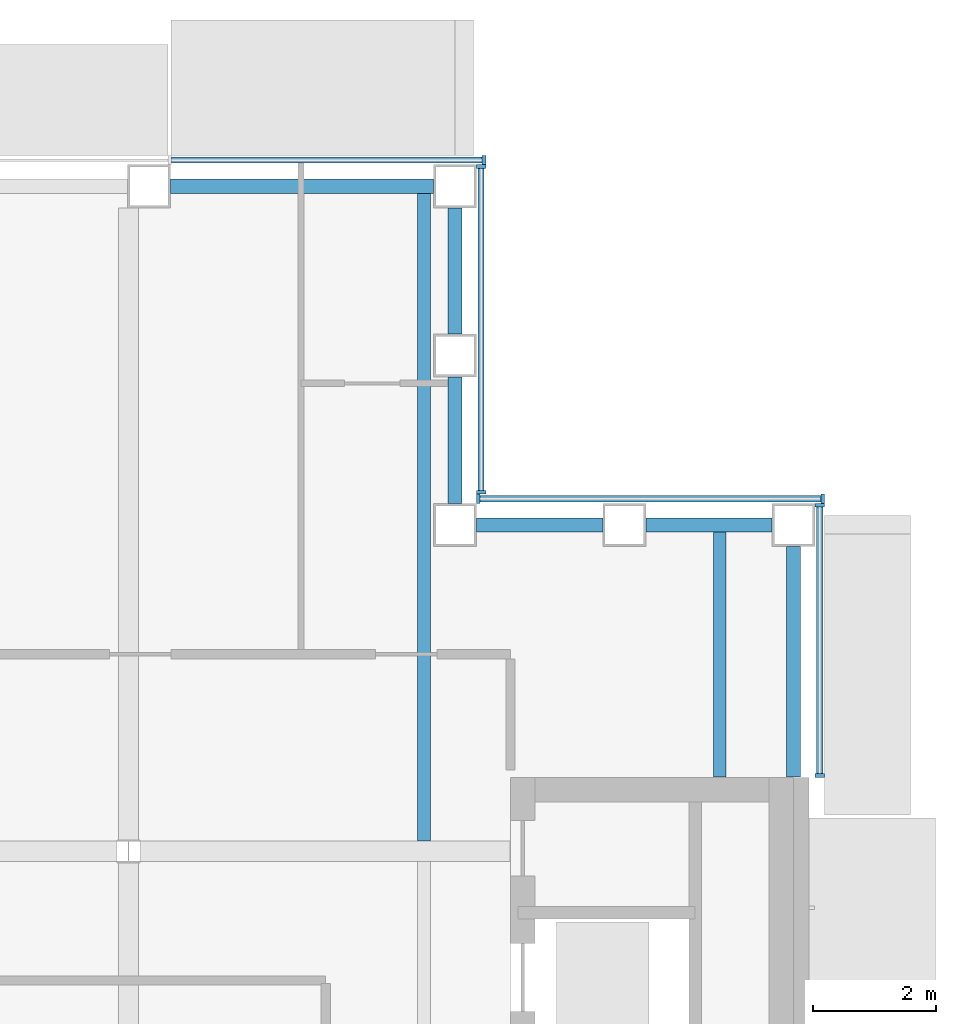
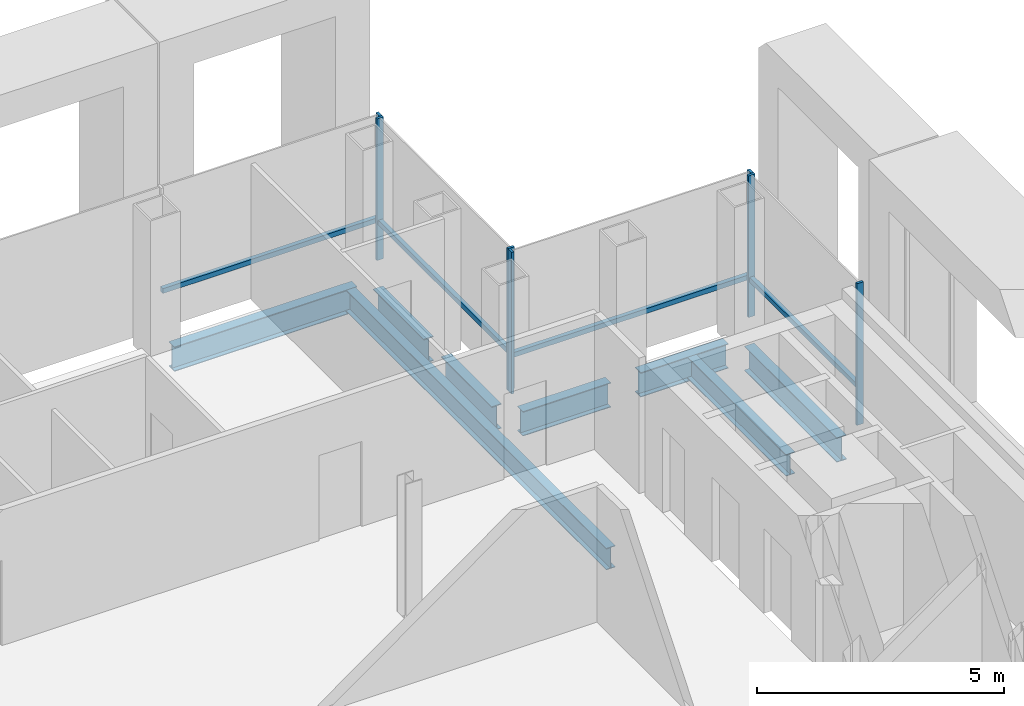
# One storey, part 7 of 19: 11 members, 8 beams, 4 elements without a shape of their own.
"""IFC4 building model written with IfcOpenShell, lengths in metres."""

import ifcopenshell
import ifcopenshell.guid

model = None  # the IFC model being written
_history = None  # IfcOwnerHistory: only IFC2X3 demands one
_inside = {}  # id of a spatial element -> (the spatial element, [elements in it])
_under = {}  # id of a project, library or spatial element -> (it, [spatial elements below it])
_declared = {}  # id of a project -> (the project, [libraries it declares])
_typed = {}  # id of a type object -> (the type object, [elements of that type])
_made_of = {}  # id of a material, layer set ... -> (it, [elements and type objects made of it])


def new_model(schema):
    """Start an empty IFC model of exactly this schema.

    Asked for "IFC4X3", IfcOpenShell would pick the latest addendum, in which some entities
    have other attributes; the version numbers below select the first issue.
    IFC2X3 requires an IfcOwnerHistory on every rooted entity: one is made here for all.
    """
    global model, _history
    if schema == "IFC4X3":
        model = ifcopenshell.file(schema_version=(4, 3, 0, 0))
    else:
        model = ifcopenshell.file(schema=schema)
    _inside.clear()
    _under.clear()
    _declared.clear()
    _typed.clear()
    _made_of.clear()
    _history = None
    if model.schema == "IFC2X3":
        org = make("IfcOrganization", Name="unknown")
        user = make(
            "IfcPersonAndOrganization",
            ThePerson=make("IfcPerson", FamilyName="unknown"),
            TheOrganization=org,
        )
        app = make(
            "IfcApplication",
            ApplicationDeveloper=org,
            Version="unknown",
            ApplicationFullName="unknown",
            ApplicationIdentifier="unknown",
        )
        _history = make(
            "IfcOwnerHistory",
            OwningUser=user,
            OwningApplication=app,
            ChangeAction="ADDED",
            CreationDate=0,
        )
    return model


def make(cls, **values):
    """One entity of the class cls with the attributes given. An attribute that is None is left unset."""
    return model.create_entity(
        cls, **{name: value for name, value in values.items() if value is not None}
    )


def rooted(cls, **values):
    """An entity with a GlobalId (a new one), such as an element, a storey or a relation."""
    return make(cls, GlobalId=ifcopenshell.guid.new(), OwnerHistory=_history, **values)


def si_unit(unit_type, name, prefix=None):
    """IfcSIUnit, for example si_unit("LENGTHUNIT", "METRE", prefix="MILLI")."""
    return make("IfcSIUnit", UnitType=unit_type, Prefix=prefix, Name=name)


def assignment(units):
    """IfcUnitAssignment: the units of a project."""
    return None if units is None else make("IfcUnitAssignment", Units=units)


def point(xyz):
    """IfcCartesianPoint."""
    return None if xyz is None else make("IfcCartesianPoint", Coordinates=xyz)


def direction(xyz):
    """IfcDirection."""
    return None if xyz is None else make("IfcDirection", DirectionRatios=xyz)


def frame(location, z_axis=None, x_axis=None):
    """IfcAxis2Placement3D, a coordinate frame: its origin and axes. An axis left out is left unset."""
    return make(
        "IfcAxis2Placement3D",
        Location=point(location),
        Axis=direction(z_axis),
        RefDirection=direction(x_axis),
    )


def frame_2d(location, x_axis=None):
    """IfcAxis2Placement2D, a coordinate frame in the plane: its origin and x axis."""
    return make(
        "IfcAxis2Placement2D", Location=point(location), RefDirection=direction(x_axis)
    )


def origin():
    """The frame at (0, 0, 0) with its axes left unset."""
    return frame((0.0, 0.0, 0.0))


def origin_2d():
    """The frame at (0, 0) in the plane with its x axis left unset."""
    return frame_2d((0.0, 0.0))


def place(relative_to, where):
    """IfcLocalPlacement: puts the frame where relative to a parent placement (None: the world)."""
    return make(
        "IfcLocalPlacement", PlacementRelTo=relative_to, RelativePlacement=where
    )


def context(
    kind, dimensions, precision=None, world=None, true_north=None, identifier=None
):
    """IfcGeometricRepresentationContext, for example the 3D "Model" context."""
    return make(
        "IfcGeometricRepresentationContext",
        ContextIdentifier=identifier,
        ContextType=kind,
        CoordinateSpaceDimension=dimensions,
        Precision=precision,
        WorldCoordinateSystem=world,
        TrueNorth=true_north,
    )


def subcontext(parent, identifier, kind, view, scale=None):
    """IfcGeometricRepresentationSubContext, for example "Body" below "Model"."""
    return make(
        "IfcGeometricRepresentationSubContext",
        ContextIdentifier=identifier,
        ContextType=kind,
        ParentContext=parent,
        TargetScale=scale,
        TargetView=view,
    )


def project(units=None, contexts=None):
    """IfcProject with its units and contexts."""
    return rooted(
        "IfcProject",
        Name="project",
        RepresentationContexts=contexts,
        UnitsInContext=assignment(units),
    )


def spatial(cls, under=None, at=None, **own):
    """A site, building, storey or space (cls), placed at a placement, below another one or the project."""
    s = rooted(cls, ObjectPlacement=at, **own)
    if under is not None:
        _under.setdefault(under.id(), (under, []))[1].append(s)
    return s


def profile(cls, at=None, kind="AREA", **sizes):
    """A parametric profile (cls). Its sizes go by their IFC names, for example OverallWidth=200.0."""
    return make(cls, ProfileType=kind, Position=at, **sizes)


def rectangle(**sizes):
    """IfcRectangleProfileDef."""
    return profile("IfcRectangleProfileDef", **sizes)


def i_section(**sizes):
    """IfcIShapeProfileDef."""
    return profile("IfcIShapeProfileDef", **sizes)


def extrude(swept, where, along, depth):
    """IfcExtrudedAreaSolid: the profile swept, set in the frame where, extruded along a direction by depth."""
    return make(
        "IfcExtrudedAreaSolid",
        SweptArea=swept,
        Position=where,
        ExtrudedDirection=direction(along),
        Depth=depth,
    )


def shape(context_of_items, identifier, shape_type, items):
    """IfcShapeRepresentation: the items that make up one representation, for example the "Body"."""
    return make(
        "IfcShapeRepresentation",
        ContextOfItems=context_of_items,
        RepresentationIdentifier=identifier,
        RepresentationType=shape_type,
        Items=items,
    )


def material(Name=None, Category=None):
    """IfcMaterial."""
    return make("IfcMaterial", Name=Name, Category=Category)


def material_profile(
    of_material, cross_section, Name=None, Category=None, Priority=None
):
    """IfcMaterialProfile: a cross section and its material."""
    return make(
        "IfcMaterialProfile",
        Name=Name,
        Material=of_material,
        Profile=cross_section,
        Priority=Priority,
        Category=Category,
    )


def profile_set(profiles, Name=None, composite=None):
    """IfcMaterialProfileSet."""
    return make(
        "IfcMaterialProfileSet",
        Name=Name,
        MaterialProfiles=profiles,
        CompositeProfile=composite,
    )


def made_of(thing, what):
    """Note that an element or type object is made of a material, layer set ...; save() writes the relation."""
    if what is not None:
        _made_of.setdefault(what.id(), (what, []))[1].append(thing)
    return thing


def type_object(cls, material=None, **own):
    """A type object (cls), such as IfcWallType, which elements share."""
    return made_of(rooted(cls, **own), material)


def element(
    cls,
    number,
    at=None,
    inside=None,
    cuts=None,
    type_object=None,
    material=None,
    context=None,
    identifier="Body",
    shape_type=None,
    held_by="IfcProductDefinitionShape",
    body=None,
    shapes=None,
    **own,
):
    """One element of the class cls, such as IfcWall. Its Tag is "e" and its number.

    at: its placement. inside: the storey or other place that contains it. cuts: it is an
    opening in that element (IfcRelVoidsElement). A single representation is given by context,
    identifier, shape_type and body (its items); several are given by shapes. held_by: the class
    of the entity that holds the representations. save() writes the other relations.
    """
    e = rooted(cls, Tag="e%d" % number, ObjectPlacement=at, **own)
    if body is not None:
        shapes = [shape(context, identifier, shape_type, body)]
    if shapes is not None:
        e.Representation = make(held_by, Representations=shapes)
    if inside is not None:
        _inside.setdefault(inside.id(), (inside, []))[1].append(e)
    if cuts is not None:
        rooted(
            "IfcRelVoidsElement", RelatingBuildingElement=cuts, RelatedOpeningElement=e
        )
    if type_object is not None:
        _typed.setdefault(type_object.id(), (type_object, []))[1].append(e)
    return made_of(e, material)


def aggregate(whole, parts):
    """IfcRelAggregates: a whole, such as a stair, and the parts it consists of."""
    return rooted("IfcRelAggregates", RelatingObject=whole, RelatedObjects=parts)


def save(model, path):
    """Write the relations noted so far, then the file.

    IfcRelAggregates (storeys below a building ...), IfcRelContainedInSpatialStructure (elements
    in a storey), IfcRelDefinesByType, IfcRelAssociatesMaterial and IfcRelDeclares: one each for
    every whole, place, type object, material and project.
    """
    for whole, parts in _under.values():
        aggregate(whole, parts)
    for where, things in _inside.values():
        rooted(
            "IfcRelContainedInSpatialStructure",
            RelatedElements=things,
            RelatingStructure=where,
        )
    for kind, things in _typed.values():
        rooted("IfcRelDefinesByType", RelatedObjects=things, RelatingType=kind)
    for what, things in _made_of.values():
        rooted("IfcRelAssociatesMaterial", RelatedObjects=things, RelatingMaterial=what)
    for by, libraries in _declared.values():
        rooted("IfcRelDeclares", RelatingContext=by, RelatedDefinitions=libraries)
    model.write(path)


model = new_model("IFC4")

# Units and contexts
model_context = context("Model", 3, precision=1e-05, world=origin(), true_north=direction((0.0, 1.0)))
body_context = subcontext(model_context, "Body", "Model", "MODEL_VIEW")
ifc_project = project(units=[si_unit("LENGTHUNIT", "METRE"), si_unit("AREAUNIT", "SQUARE_METRE"), si_unit("VOLUMEUNIT", "CUBIC_METRE"), si_unit("PLANEANGLEUNIT", "RADIAN"), si_unit("MASSUNIT", "GRAM", prefix="KILO")], contexts=[model_context])

# Site, building, storey
site_placement = place(None, origin())
site = spatial("IfcSite", under=ifc_project, at=site_placement, CompositionType="ELEMENT")
building_placement = place(site_placement, origin())
building = spatial("IfcBuilding", under=site, at=building_placement, Name="Cobrizo Arcos Hotel Tower", CompositionType="ELEMENT")
storey_placement = place(building_placement, frame((0.0, 0.0, 198.0)))
storey = spatial("IfcBuildingStorey", under=building, at=storey_placement, Name="L51", CompositionType="ELEMENT", Elevation=198.0)

# Curtain wall, members
ifc_material_1 = material(Name="Aluminium 6063-T6 anodised bronze", Category="aluminium")
curtain_wall_type = type_object("IfcCurtainWallType", Name="CW-A guest facade", PredefinedType="NOTDEFINED", material=ifc_material_1)
curtain_wall_1_placement = place(storey_placement, origin())
curtain_wall_1 = element("IfcCurtainWall", 1, at=curtain_wall_1_placement, inside=storey, type_object=curtain_wall_type, Name="CW-A L51 E face", PredefinedType="NOTDEFINED")
ifc_material_profile_1 = material_profile(ifc_material_1, rectangle(XDim=0.14990234375, YDim=0.06005859375, at=origin_2d()), Name="CW-A mullion 150x60")
ifc_profile_set_1 = profile_set([ifc_material_profile_1], Name="Aluminium 6063-T6 anodised bronze")
member_type_1 = type_object("IfcMemberType", Name="CW-A mullion 150x60", PredefinedType="MULLION", material=ifc_profile_set_1)
member_1_placement = place(storey_placement, frame((20.824951171875, 10.830078125, 0.0), z_axis=(0.0, 0.0, 1.0), x_axis=(1.0, 0.0, 0.0)))
member_1 = element("IfcMember", 2, at=member_1_placement, type_object=member_type_1, Name="CW-A mullion 1", PredefinedType="MULLION", context=body_context, shape_type="SweptSolid", body=[
    extrude(rectangle(XDim=0.14990234375, YDim=0.06005859375, at=origin_2d()), origin(), (0.0, 0.0, 1.0), 3.5),
])
member_2_placement = place(storey_placement, frame((20.824951171875, 15.219970703125, 0.0), z_axis=(0.0, 0.0, 1.0), x_axis=(1.0, 0.0, 0.0)))
member_2 = element("IfcMember", 3, at=member_2_placement, type_object=member_type_1, Name="CW-A mullion 2", PredefinedType="MULLION", context=body_context, shape_type="SweptSolid", body=[
    extrude(rectangle(XDim=0.14990234375, YDim=0.06005859375, at=origin_2d()), origin(), (0.0, 0.0, 1.0), 3.5),
])

curtain_wall_2_placement = place(storey_placement, origin())
curtain_wall_2 = element("IfcCurtainWall", 4, at=curtain_wall_2_placement, inside=storey, type_object=curtain_wall_type, Name="CW-A L51 N face", PredefinedType="NOTDEFINED")
member_3_placement = place(storey_placement, frame((20.8701171875, 15.324951171875, 0.0), z_axis=(0.0, 0.0, 1.0), x_axis=(0.0, 1.0, 0.0)))
member_3 = element("IfcMember", 5, at=member_3_placement, type_object=member_type_1, Name="CW-A mullion 1", PredefinedType="MULLION", context=body_context, shape_type="SweptSolid", body=[
    extrude(rectangle(XDim=0.14990234375, YDim=0.06005859375, at=origin_2d()), origin(), (0.0, 0.0, 1.0), 3.5),
])
member_4_placement = place(storey_placement, frame((15.280029296875, 15.324951171875, 0.0), z_axis=(0.0, 0.0, 1.0), x_axis=(0.0, 1.0, 0.0)))
member_4 = element("IfcMember", 6, at=member_4_placement, type_object=member_type_1, Name="CW-A mullion 2", PredefinedType="MULLION", context=body_context, shape_type="SweptSolid", body=[
    extrude(rectangle(XDim=0.14990234375, YDim=0.06005859375, at=origin_2d()), origin(), (0.0, 0.0, 1.0), 3.5),
])

curtain_wall_3_placement = place(storey_placement, origin())
curtain_wall_3 = element("IfcCurtainWall", 7, at=curtain_wall_3_placement, inside=storey, type_object=curtain_wall_type, Name="CW-A L51 E face", PredefinedType="NOTDEFINED")
member_5_placement = place(storey_placement, frame((15.324951171875, 15.429931640625, 0.0), z_axis=(0.0, 0.0, 1.0), x_axis=(1.0, 0.0, 0.0)))
member_5 = element("IfcMember", 8, at=member_5_placement, type_object=member_type_1, Name="CW-A mullion 1", PredefinedType="MULLION", context=body_context, shape_type="SweptSolid", body=[
    extrude(rectangle(XDim=0.14990234375, YDim=0.06005859375, at=origin_2d()), origin(), (0.0, 0.0, 1.0), 3.5),
])
member_6_placement = place(storey_placement, frame((15.324951171875, 20.719970703125, 0.0), z_axis=(0.0, 0.0, 1.0), x_axis=(1.0, 0.0, 0.0)))
member_6 = element("IfcMember", 9, at=member_6_placement, type_object=member_type_1, Name="CW-A mullion 2", PredefinedType="MULLION", context=body_context, shape_type="SweptSolid", body=[
    extrude(rectangle(XDim=0.14990234375, YDim=0.06005859375, at=origin_2d()), origin(), (0.0, 0.0, 1.0), 3.5),
])

# Curtain wall, member
curtain_wall_4_placement = place(storey_placement, origin())
curtain_wall_4 = element("IfcCurtainWall", 10, at=curtain_wall_4_placement, inside=storey, type_object=curtain_wall_type, Name="CW-A L51 N face", PredefinedType="NOTDEFINED")
member_7_placement = place(storey_placement, frame((15.3701171875, 20.824951171875, 0.0), z_axis=(0.0, 0.0, 1.0), x_axis=(0.0, 1.0, 0.0)))
member_7 = element("IfcMember", 11, at=member_7_placement, type_object=member_type_1, Name="CW-A mullion 1", PredefinedType="MULLION", context=body_context, shape_type="SweptSolid", body=[
    extrude(rectangle(XDim=0.14990234375, YDim=0.06005859375, at=origin_2d()), origin(), (0.0, 0.0, 1.0), 3.5),
])

# Member
ifc_material_profile_2 = material_profile(ifc_material_1, rectangle(XDim=0.10009765625, YDim=0.1201171875, at=origin_2d()), Name="CW-A transom 120x100")
ifc_profile_set_2 = profile_set([ifc_material_profile_2], Name="Aluminium 6063-T6 anodised bronze")
member_type_2 = type_object("IfcMemberType", Name="CW-A transom 120x100", PredefinedType="USERDEFINED", material=ifc_profile_set_2)
member_8_placement = place(storey_placement, frame((20.824951171875, 10.860107421875, 0.929931640625), z_axis=(0.0, 1.0, 0.0), x_axis=(-1.0, 0.0, 0.0)))
member_8 = element("IfcMember", 12, at=member_8_placement, type_object=member_type_2, Name="CW-A transom 1753", ObjectType="TRANSOM", PredefinedType="USERDEFINED", context=body_context, shape_type="SweptSolid", body=[
    extrude(rectangle(XDim=0.10009765625, YDim=0.1201171875, at=origin_2d()), origin(), (0.0, 0.0, 1.0), 4.329833984375),
])

aggregate(curtain_wall_1, [member_1, member_2, member_8])

member_9_placement = place(storey_placement, frame((20.840087890625, 15.324951171875, 0.929931640625), z_axis=(-1.0, 0.0, 0.0), x_axis=(0.0, -1.0, 0.0)))
member_9 = element("IfcMember", 13, at=member_9_placement, type_object=member_type_2, Name="CW-A transom 1754", ObjectType="TRANSOM", PredefinedType="USERDEFINED", context=body_context, shape_type="SweptSolid", body=[
    extrude(rectangle(XDim=0.10009765625, YDim=0.1201171875, at=origin_2d()), origin(), (0.0, 0.0, 1.0), 5.530029296875),
])

aggregate(curtain_wall_2, [member_3, member_4, member_9])

member_10_placement = place(storey_placement, frame((15.324951171875, 15.4599609375, 0.929931640625), z_axis=(0.0, 1.0, 0.0), x_axis=(-1.0, 0.0, 0.0)))
member_10 = element("IfcMember", 14, at=member_10_placement, type_object=member_type_2, Name="CW-A transom 1755", ObjectType="TRANSOM", PredefinedType="USERDEFINED", context=body_context, shape_type="SweptSolid", body=[
    extrude(rectangle(XDim=0.10009765625, YDim=0.1201171875, at=origin_2d()), origin(), (0.0, 0.0, 1.0), 5.22998046875),
])

aggregate(curtain_wall_3, [member_5, member_6, member_10])

member_11_placement = place(storey_placement, frame((15.340087890625, 20.824951171875, 0.929931640625), z_axis=(-1.0, 0.0, 0.0), x_axis=(0.0, -1.0, 0.0)))
member_11 = element("IfcMember", 15, at=member_11_placement, type_object=member_type_2, Name="CW-A transom 1756", ObjectType="TRANSOM", PredefinedType="USERDEFINED", context=body_context, shape_type="SweptSolid", body=[
    extrude(rectangle(XDim=0.10009765625, YDim=0.1201171875, at=origin_2d()), origin(), (0.0, 0.0, 1.0), 5.04345703125),
])

aggregate(curtain_wall_4, [member_7, member_11])

# Beams
ifc_material_2 = material(Name="Steel ASTM A992 Grade 50", Category="steel")
ifc_material_profile_3 = material_profile(ifc_material_2, i_section(OverallWidth=0.209228515625, OverallDepth=0.533447265625, WebThickness=0.01025390625, FlangeThickness=0.015625, at=origin_2d()), Name="W21X62")
ifc_profile_set_3 = profile_set([ifc_material_profile_3], Name="Steel ASTM A992 Grade 50")
beam_type_1 = type_object("IfcBeamType", Name="W21X62 joist", PredefinedType="JOIST", material=ifc_profile_set_3)
beam_1_placement = place(storey_placement, frame((14.39990234375, 9.763916015625, -0.416748046875), z_axis=(0.0, 1.0, 0.0), x_axis=(-1.0, 0.0, 0.0)))
element("IfcBeam", 16, at=beam_1_placement, inside=storey, type_object=beam_type_1, Name="Floor joist J1, L51, no. 018", PredefinedType="JOIST", context=body_context, shape_type="SweptSolid", body=[
    extrude(i_section(OverallWidth=0.209228515625, OverallDepth=0.533447265625, WebThickness=0.01025390625, FlangeThickness=0.015625, at=origin_2d()), origin(), (0.0, 0.0, 1.0), 10.546142578125),
])
beam_2_placement = place(storey_placement, frame((19.199951171875, 10.81005859375, -0.416748046875), z_axis=(0.0, 1.0, 0.0), x_axis=(-1.0, 0.0, 0.0)))
element("IfcBeam", 17, at=beam_2_placement, inside=storey, type_object=beam_type_1, Name="Floor joist J1, L51, no. 020", PredefinedType="JOIST", context=body_context, shape_type="SweptSolid", body=[
    extrude(i_section(OverallWidth=0.209228515625, OverallDepth=0.533447265625, WebThickness=0.01025390625, FlangeThickness=0.015625, at=origin_2d()), origin(), (0.0, 0.0, 1.0), 4.0),
])
ifc_material_profile_4 = material_profile(ifc_material_2, i_section(OverallWidth=0.228271484375, OverallDepth=0.607177734375, WebThickness=0.01123046875, FlangeThickness=0.017333984375, at=origin_2d()), Name="W24X76")
ifc_profile_set_4 = profile_set([ifc_material_profile_4], Name="Steel ASTM A992 Grade 50")
beam_type_2 = type_object("IfcBeamType", Name="W24X76 spandrel", PredefinedType="SPANDREL", material=ifc_profile_set_4)
beam_3_placement = place(storey_placement, frame((20.39990234375, 10.81005859375, -0.45361328125), z_axis=(0.0, 1.0, 0.0), x_axis=(-1.0, 0.0, 0.0)))
element("IfcBeam", 18, at=beam_3_placement, inside=storey, type_object=beam_type_2, Name="Spandrel beam W24X76, L51, no. 012", PredefinedType="SPANDREL", context=body_context, shape_type="SweptSolid", body=[
    extrude(i_section(OverallWidth=0.228271484375, OverallDepth=0.607177734375, WebThickness=0.01123046875, FlangeThickness=0.017333984375, at=origin_2d()), origin(), (0.0, 0.0, 1.0), 3.739990234375),
])
for number, where, z_axis, x_axis, name in (
    (19, (20.050048828125, 14.89990234375, -0.45361328125), (-1.0, 0.0, 0.0), (0.0, -1.0, 0.0), "Spandrel beam W24X76, L51, no. 013"),
    (20, (17.300048828125, 14.89990234375, -0.45361328125), (-1.0, 0.0, 0.0), (0.0, -1.0, 0.0), "Spandrel beam W24X76, L51, no. 014"),
    (21, (14.89990234375, 15.25, -0.45361328125), (0.0, 1.0, 0.0), (-1.0, 0.0, 0.0), "Spandrel beam W24X76, L51, no. 015"),
    (22, (14.89990234375, 18.0, -0.45361328125), (0.0, 1.0, 0.0), (-1.0, 0.0, 0.0), "Spandrel beam W24X76, L51, no. 016"),
):
    element("IfcBeam", number, at=place(storey_placement, frame(where, z_axis=z_axis, x_axis=x_axis)), inside=storey, type_object=beam_type_2, Name=name, PredefinedType="SPANDREL", context=body_context, shape_type="SweptSolid", body=[
        extrude(i_section(OverallWidth=0.228271484375, OverallDepth=0.607177734375, WebThickness=0.01123046875, FlangeThickness=0.017333984375, at=origin_2d()), origin(), (0.0, 0.0, 1.0), 2.050048828125),
    ])
beam_4_placement = place(storey_placement, frame((14.550048828125, 20.39990234375, -0.45361328125), z_axis=(-1.0, 0.0, 0.0), x_axis=(0.0, -1.0, 0.0)))
element("IfcBeam", 23, at=beam_4_placement, inside=storey, type_object=beam_type_2, Name="Spandrel beam W24X76, L51, no. 017", PredefinedType="SPANDREL", context=body_context, shape_type="SweptSolid", body=[
    extrude(i_section(OverallWidth=0.228271484375, OverallDepth=0.607177734375, WebThickness=0.01123046875, FlangeThickness=0.017333984375, at=origin_2d()), origin(), (0.0, 0.0, 1.0), 4.26708984375),
])

save(model, "model.ifc")
